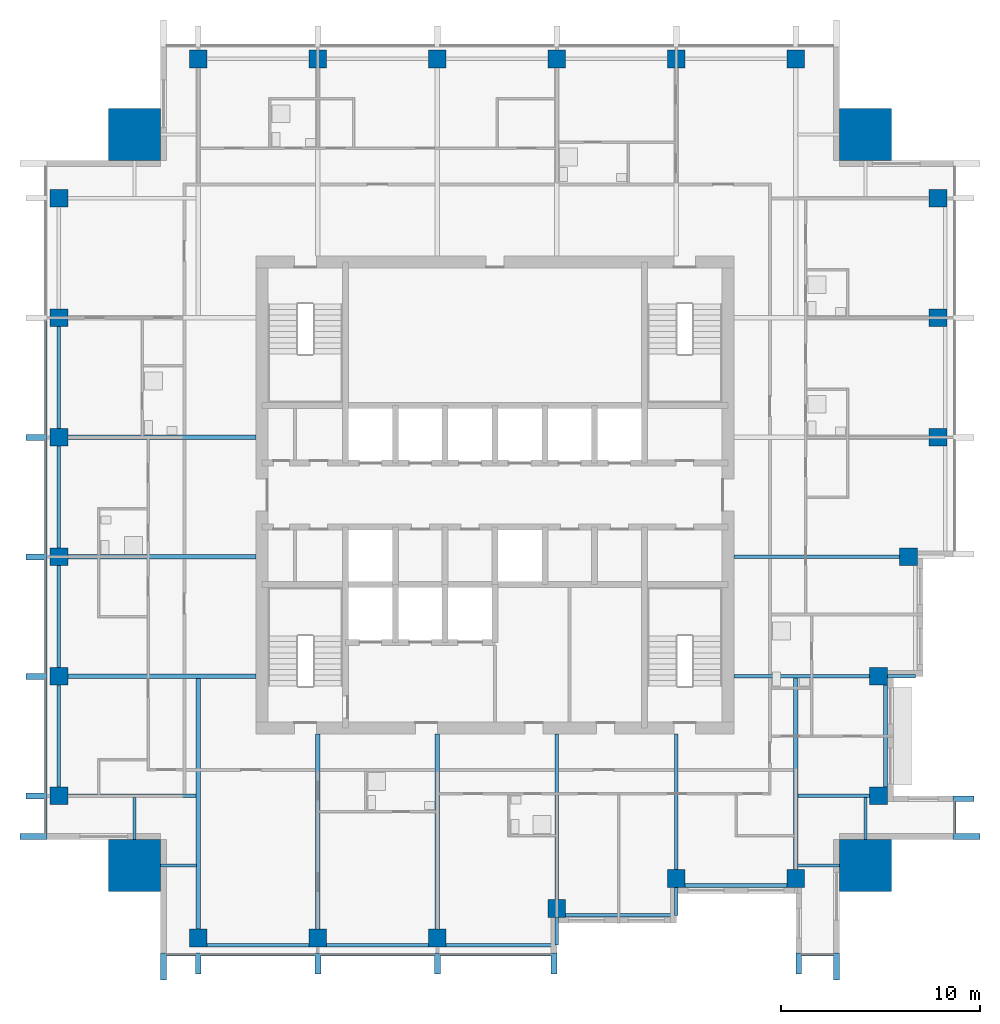
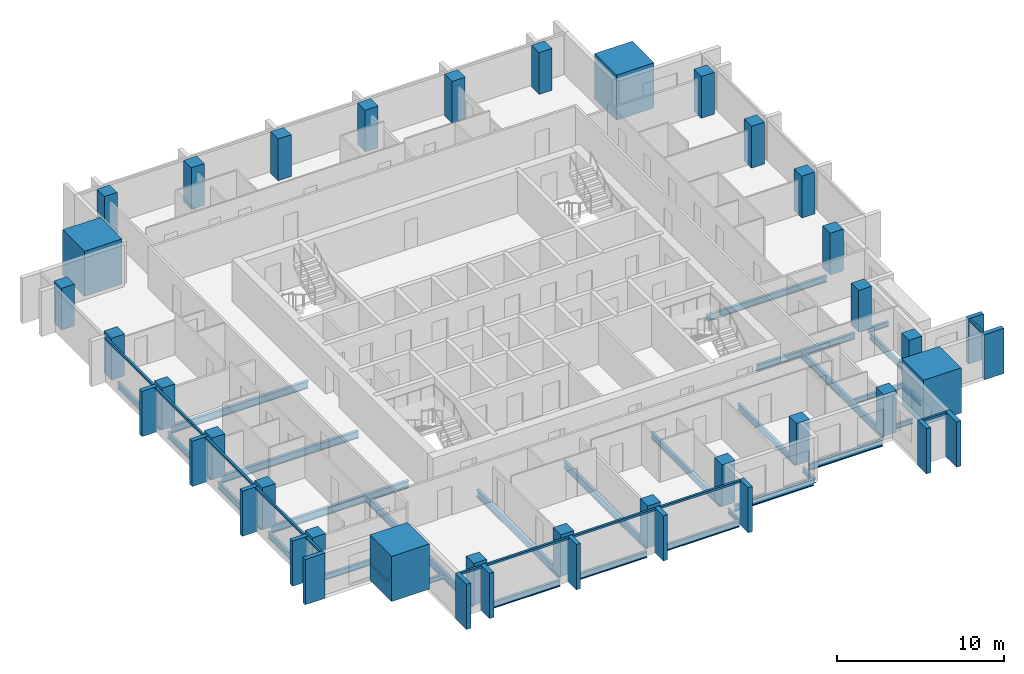
# One storey, part 1 of 10: 30 beams, 28 columns, 25 members, 4 elements without a shape of their own.
"""IFC4 building model written with IfcOpenShell, lengths in metres."""

from ifc_helpers import new_model, si_unit, direction, frame, origin, origin_2d, place, context, subcontext, project, spatial, rectangle, i_section, extrude, material, material_profile, profile_set, type_object, element, aggregate, save


model = new_model("IFC4")

# Units and contexts
model_context = context("Model", 3, precision=1e-05, world=origin(), true_north=direction((0.0, 1.0)))
body_context = subcontext(model_context, "Body", "Model", "MODEL_VIEW")
ifc_project = project(units=[si_unit("LENGTHUNIT", "METRE"), si_unit("AREAUNIT", "SQUARE_METRE"), si_unit("VOLUMEUNIT", "CUBIC_METRE"), si_unit("PLANEANGLEUNIT", "RADIAN"), si_unit("MASSUNIT", "GRAM", prefix="KILO")], contexts=[model_context])

# Site, building, storey
site_placement = place(None, origin())
site = spatial("IfcSite", under=ifc_project, at=site_placement, CompositionType="ELEMENT")
building_placement = place(site_placement, origin())
building = spatial("IfcBuilding", under=site, at=building_placement, Name="Amberfall Residences", CompositionType="ELEMENT")
storey_placement = place(building_placement, frame((0.0, 0.0, 190.300048828125)))
storey = spatial("IfcBuildingStorey", under=building, at=storey_placement, Name="L50", CompositionType="ELEMENT", Elevation=190.300048828125)

# Columns
ifc_material_1 = material(Name="Concrete C55", Category="concrete")
ifc_material_profile_1 = material_profile(ifc_material_1, rectangle(XDim=0.89990234375, YDim=0.89990234375, at=origin_2d()), Name="Column 900 x 900 C55")
ifc_profile_set_1 = profile_set([ifc_material_profile_1], Name="Concrete C55")
column_type_1 = type_object("IfcColumnType", Name="Column 900 x 900 C55", PredefinedType="COLUMN", material=ifc_profile_set_1)
for number, where, z_axis, x_axis, name in (
    (1, (59.60009765625, 23.25, 0.0), (0.0, 0.0, 1.0), (1.0, 0.0, 0.0), "Column C4 L50 S1"),
    (2, (65.60009765625, 23.25, 0.0), (0.0, 0.0, 1.0), (1.0, 0.0, 0.0), "Column C4 L50 S2"),
    (3, (71.60009765625, 23.25, 0.0), (0.0, 0.0, 1.0), (1.0, 0.0, 0.0), "Column C4 L50 S3"),
    (4, (77.60009765625, 24.75, 0.0), (0.0, 0.0, 1.0), (1.0, 0.0, 0.0), "Column C4 L50 S4"),
    (5, (83.60009765625, 26.25, 0.0), (0.0, 0.0, 1.0), (1.0, 0.0, 0.0), "Column C4 L50 S5"),
    (6, (89.60009765625, 26.25, 0.0), (0.0, 0.0, 1.0), (1.0, 0.0, 0.0), "Column C4 L50 S6"),
    (7, (93.75, 30.39990234375, 0.0), (0.0, 0.0, 1.0), (1.0, 0.0, 0.0), "Column C4 L50 E1"),
    (8, (93.75, 36.39990234375, 0.0), (0.0, 0.0, 1.0), (1.0, 0.0, 0.0), "Column C4 L50 E2"),
    (9, (95.25, 42.39990234375, 0.0), (0.0, 0.0, 1.0), (1.0, 0.0, 0.0), "Column C4 L50 E3"),
    (10, (96.75, 48.39990234375, 0.0), (0.0, 0.0, 1.0), (1.0, 0.0, 0.0), "Column C4 L50 E4"),
    (11, (96.75, 54.39990234375, 0.0), (0.0, 0.0, 1.0), (1.0, 0.0, 0.0), "Column C4 L50 E5"),
    (12, (96.75, 60.39990234375, 0.0), (0.0, 0.0, 1.0), (1.0, 0.0, 0.0), "Column C4 L50 E6"),
    (13, (59.60009765625, 67.39990234375, 0.0), (0.0, 0.0, 1.0), (1.0, 0.0, 0.0), "Column C4 L50 N1"),
    (14, (65.60009765625, 67.39990234375, 0.0), (0.0, 0.0, 1.0), (1.0, 0.0, 0.0), "Column C4 L50 N2"),
    (15, (71.60009765625, 67.39990234375, 0.0), (0.0, 0.0, 1.0), (1.0, 0.0, 0.0), "Column C4 L50 N3"),
    (16, (77.60009765625, 67.39990234375, 0.0), (0.0, 0.0, 1.0), (1.0, 0.0, 0.0), "Column C4 L50 N4"),
    (17, (83.60009765625, 67.39990234375, 0.0), (0.0, 0.0, 1.0), (1.0, 0.0, 0.0), "Column C4 L50 N5"),
    (18, (89.60009765625, 67.39990234375, 0.0), (0.0, 0.0, 1.0), (1.0, 0.0, 0.0), "Column C4 L50 N6"),
    (19, (52.60009765625, 30.39990234375, 0.0), (0.0, 0.0, 1.0), (1.0, 0.0, 0.0), "Column C4 L50 W1"),
    (20, (52.60009765625, 36.39990234375, 0.0), (0.0, 0.0, 1.0), (1.0, 0.0, 0.0), "Column C4 L50 W2"),
    (21, (52.60009765625, 42.39990234375, 0.0), (0.0, 0.0, 1.0), (1.0, 0.0, 0.0), "Column C4 L50 W3"),
    (22, (52.60009765625, 48.39990234375, 0.0), (0.0, 0.0, 1.0), (1.0, 0.0, 0.0), "Column C4 L50 W4"),
    (23, (52.60009765625, 54.39990234375, 0.0), (0.0, 0.0, 1.0), (1.0, 0.0, 0.0), "Column C4 L50 W5"),
    (24, (52.60009765625, 60.39990234375, 0.0), (0.0, 0.0, 1.0), (1.0, 0.0, 0.0), "Column C4 L50 W6"),
):
    element("IfcColumn", number, at=place(storey_placement, frame(where, z_axis=z_axis, x_axis=x_axis)), inside=storey, type_object=column_type_1, Name=name, PredefinedType="COLUMN", context=body_context, shape_type="SweptSolid", body=[
        extrude(rectangle(XDim=0.89990234375, YDim=0.89990234375, at=origin_2d()), origin(), (0.0, 0.0, 1.0), 3.050048828125),
    ])
ifc_material_profile_2 = material_profile(ifc_material_1, rectangle(XDim=2.60009765625, YDim=2.60009765625, at=origin_2d()), Name="Mega column 2600 x 2600 C55")
ifc_profile_set_2 = profile_set([ifc_material_profile_2], Name="Concrete C55")
column_type_2 = type_object("IfcColumnType", Name="Mega column 2600 x 2600 C55", PredefinedType="COLUMN", material=ifc_profile_set_2)
for number, where, z_axis, x_axis, name in (
    (25, (56.39990234375, 26.89990234375, 0.0), (0.0, 0.0, 1.0), (1.0, 0.0, 0.0), "Mega column MC8 L50 SW"),
    (26, (93.10009765625, 26.89990234375, 0.0), (0.0, 0.0, 1.0), (1.0, 0.0, 0.0), "Mega column MC8 L50 SE"),
    (27, (93.10009765625, 63.60009765625, 0.0), (0.0, 0.0, 1.0), (1.0, 0.0, 0.0), "Mega column MC8 L50 NE"),
    (28, (56.39990234375, 63.60009765625, 0.0), (0.0, 0.0, 1.0), (1.0, 0.0, 0.0), "Mega column MC8 L50 NW"),
):
    element("IfcColumn", number, at=place(storey_placement, frame(where, z_axis=z_axis, x_axis=x_axis)), inside=storey, type_object=column_type_2, Name=name, PredefinedType="COLUMN", context=body_context, shape_type="SweptSolid", body=[
        extrude(rectangle(XDim=2.60009765625, YDim=2.60009765625, at=origin_2d()), origin(), (0.0, 0.0, 1.0), 3.300048828125),
    ])

# Curtain wall, members
ifc_material_2 = material(Name="Bronze anodised aluminium and glass", Category="aluminium")
curtain_wall_type = type_object("IfcCurtainWallType", Name="Curtain wall CW1 tower unit", PredefinedType="USERDEFINED", material=ifc_material_2)
curtain_wall_1_placement = place(storey_placement, origin())
curtain_wall_1 = element("IfcCurtainWall", 29, at=curtain_wall_1_placement, inside=storey, type_object=curtain_wall_type, Name="Curtain wall L50 S S1", ObjectType="UNITISED CURTAIN WALL", PredefinedType="USERDEFINED")
ifc_material_3 = material(Name="Bronze anodised aluminium", Category="aluminium")
ifc_material_profile_3 = material_profile(ifc_material_3, rectangle(XDim=0.14990234375, YDim=0.14990234375, at=origin_2d()), Name="CW1 transom 150 x 150 bronze")
ifc_profile_set_3 = profile_set([ifc_material_profile_3], Name="Bronze anodised aluminium")
member_type_1 = type_object("IfcMemberType", Name="CW1 transom 150 x 150 bronze", PredefinedType="USERDEFINED", material=ifc_profile_set_3)
member_1_placement = place(storey_placement, frame((58.0, 22.425048828125, 2.974853515625), z_axis=(1.0, 0.0, 0.0), x_axis=(0.0, 1.0, 0.0)))
member_1 = element("IfcMember", 30, at=member_1_placement, type_object=member_type_1, Name="CW1 transom 1.1", ObjectType="TRANSOM", PredefinedType="USERDEFINED", context=body_context, shape_type="SweptSolid", body=[
    extrude(rectangle(XDim=0.14990234375, YDim=0.14990234375, at=origin_2d()), origin(), (0.0, 0.0, 1.0), 1.449951171875),
])
member_2_placement = place(storey_placement, frame((59.75, 22.425048828125, 2.974853515625), z_axis=(1.0, 0.0, 0.0), x_axis=(0.0, 1.0, 0.0)))
member_2 = element("IfcMember", 31, at=member_2_placement, type_object=member_type_1, Name="CW1 transom 2.1", ObjectType="TRANSOM", PredefinedType="USERDEFINED", context=body_context, shape_type="SweptSolid", body=[
    extrude(rectangle(XDim=0.14990234375, YDim=0.14990234375, at=origin_2d()), origin(), (0.0, 0.0, 1.0), 5.699951171875),
])
member_3_placement = place(storey_placement, frame((65.75, 22.425048828125, 2.974853515625), z_axis=(1.0, 0.0, 0.0), x_axis=(0.0, 1.0, 0.0)))
member_3 = element("IfcMember", 32, at=member_3_placement, type_object=member_type_1, Name="CW1 transom 3.1", ObjectType="TRANSOM", PredefinedType="USERDEFINED", context=body_context, shape_type="SweptSolid", body=[
    extrude(rectangle(XDim=0.14990234375, YDim=0.14990234375, at=origin_2d()), origin(), (0.0, 0.0, 1.0), 5.699951171875),
])
member_4_placement = place(storey_placement, frame((71.75, 22.425048828125, 2.974853515625), z_axis=(1.0, 0.0, 0.0), x_axis=(0.0, 1.0, 0.0)))
member_4 = element("IfcMember", 33, at=member_4_placement, type_object=member_type_1, Name="CW1 transom 4.1", ObjectType="TRANSOM", PredefinedType="USERDEFINED", context=body_context, shape_type="SweptSolid", body=[
    extrude(rectangle(XDim=0.14990234375, YDim=0.14990234375, at=origin_2d()), origin(), (0.0, 0.0, 1.0), 5.550048828125),
])

# Curtain wall, member
curtain_wall_2_placement = place(storey_placement, origin())
curtain_wall_2 = element("IfcCurtainWall", 34, at=curtain_wall_2_placement, inside=storey, type_object=curtain_wall_type, Name="Curtain wall L50 S S7", ObjectType="UNITISED CURTAIN WALL", PredefinedType="USERDEFINED")
member_5_placement = place(storey_placement, frame((89.89990234375, 22.425048828125, 2.974853515625), z_axis=(1.0, 0.0, 0.0), x_axis=(0.0, 1.0, 0.0)))
member_5 = element("IfcMember", 35, at=member_5_placement, type_object=member_type_1, Name="CW1 transom 1.1", ObjectType="TRANSOM", PredefinedType="USERDEFINED", context=body_context, shape_type="SweptSolid", body=[
    extrude(rectangle(XDim=0.14990234375, YDim=0.14990234375, at=origin_2d()), origin(), (0.0, 0.0, 1.0), 1.60009765625),
])

curtain_wall_3_placement = place(storey_placement, origin())
curtain_wall_3 = element("IfcCurtainWall", 36, at=curtain_wall_3_placement, inside=storey, type_object=curtain_wall_type, Name="Curtain wall L50 E E1", ObjectType="UNITISED CURTAIN WALL", PredefinedType="USERDEFINED")
member_6_placement = place(storey_placement, frame((97.574951171875, 28.5, 2.974853515625), z_axis=(0.0, 1.0, 0.0), x_axis=(-1.0, 0.0, 0.0)))
member_6 = element("IfcMember", 37, at=member_6_placement, type_object=member_type_1, Name="CW1 transom 1.1", ObjectType="TRANSOM", PredefinedType="USERDEFINED", context=body_context, shape_type="SweptSolid", body=[
    extrude(rectangle(XDim=0.14990234375, YDim=0.14990234375, at=origin_2d()), origin(), (0.0, 0.0, 1.0), 1.60009765625),
])

# Curtain wall, members
curtain_wall_4_placement = place(storey_placement, origin())
curtain_wall_4 = element("IfcCurtainWall", 38, at=curtain_wall_4_placement, inside=storey, type_object=curtain_wall_type, Name="Curtain wall L50 W W1", ObjectType="UNITISED CURTAIN WALL", PredefinedType="USERDEFINED")
member_7_placement = place(storey_placement, frame((51.925048828125, 54.25, 2.974853515625), z_axis=(0.0, -1.0, 0.0), x_axis=(1.0, 0.0, 0.0)))
member_7 = element("IfcMember", 39, at=member_7_placement, type_object=member_type_1, Name="CW1 transom 3.1", ObjectType="TRANSOM", PredefinedType="USERDEFINED", context=body_context, shape_type="SweptSolid", body=[
    extrude(rectangle(XDim=0.14990234375, YDim=0.14990234375, at=origin_2d()), origin(), (0.0, 0.0, 1.0), 5.699951171875),
])
member_8_placement = place(storey_placement, frame((51.925048828125, 48.25, 2.974853515625), z_axis=(0.0, -1.0, 0.0), x_axis=(1.0, 0.0, 0.0)))
member_8 = element("IfcMember", 40, at=member_8_placement, type_object=member_type_1, Name="CW1 transom 4.1", ObjectType="TRANSOM", PredefinedType="USERDEFINED", context=body_context, shape_type="SweptSolid", body=[
    extrude(rectangle(XDim=0.14990234375, YDim=0.14990234375, at=origin_2d()), origin(), (0.0, 0.0, 1.0), 5.699951171875),
])
member_9_placement = place(storey_placement, frame((51.925048828125, 42.25, 2.974853515625), z_axis=(0.0, -1.0, 0.0), x_axis=(1.0, 0.0, 0.0)))
member_9 = element("IfcMember", 41, at=member_9_placement, type_object=member_type_1, Name="CW1 transom 5.1", ObjectType="TRANSOM", PredefinedType="USERDEFINED", context=body_context, shape_type="SweptSolid", body=[
    extrude(rectangle(XDim=0.14990234375, YDim=0.14990234375, at=origin_2d()), origin(), (0.0, 0.0, 1.0), 5.699951171875),
])
member_10_placement = place(storey_placement, frame((51.925048828125, 36.25, 2.974853515625), z_axis=(0.0, -1.0, 0.0), x_axis=(1.0, 0.0, 0.0)))
member_10 = element("IfcMember", 42, at=member_10_placement, type_object=member_type_1, Name="CW1 transom 6.1", ObjectType="TRANSOM", PredefinedType="USERDEFINED", context=body_context, shape_type="SweptSolid", body=[
    extrude(rectangle(XDim=0.14990234375, YDim=0.14990234375, at=origin_2d()), origin(), (0.0, 0.0, 1.0), 5.699951171875),
])
member_11_placement = place(storey_placement, frame((51.925048828125, 30.25, 2.974853515625), z_axis=(0.0, -1.0, 0.0), x_axis=(1.0, 0.0, 0.0)))
member_11 = element("IfcMember", 43, at=member_11_placement, type_object=member_type_1, Name="CW1 transom 7.1", ObjectType="TRANSOM", PredefinedType="USERDEFINED", context=body_context, shape_type="SweptSolid", body=[
    extrude(rectangle(XDim=0.14990234375, YDim=0.14990234375, at=origin_2d()), origin(), (0.0, 0.0, 1.0), 1.75),
])

# Beams
ifc_material_4 = material(Name="Steel S355", Category="steel")
ifc_material_profile_4 = material_profile(ifc_material_4, i_section(OverallWidth=0.171142578125, OverallDepth=0.351318359375, WebThickness=0.007080078125, FlangeThickness=0.009765625, FilletRadius=0.01025390625, at=origin_2d()), Name="UB 356x171x45")
ifc_profile_set_4 = profile_set([ifc_material_profile_4], Name="Steel S355")
beam_type_1 = type_object("IfcBeamType", Name="Cantilever girder UB 356x171x45", PredefinedType="BEAM", material=ifc_profile_set_4)
for number, where, z_axis, x_axis, name in (
    (44, (77.60009765625, 24.300048828125, -0.42578125), (0.0, -1.0, 0.0), (1.0, 0.0, 0.0), "Cantilever girder B8 L50 06"),
    (45, (83.60009765625, 25.800048828125, -0.42578125), (0.0, -1.0, 0.0), (1.0, 0.0, 0.0), "Cantilever girder B8 L50 07"),
    (46, (94.199951171875, 36.39990234375, -0.42578125), (1.0, 0.0, 0.0), (0.0, 1.0, 0.0), "Cantilever girder B8 L50 19"),
):
    element("IfcBeam", number, at=place(storey_placement, frame(where, z_axis=z_axis, x_axis=x_axis)), inside=storey, type_object=beam_type_1, Name=name, PredefinedType="BEAM", context=body_context, shape_type="SweptSolid", body=[
        extrude(i_section(OverallWidth=0.171142578125, OverallDepth=0.351318359375, WebThickness=0.007080078125, FlangeThickness=0.009765625, FilletRadius=0.01025390625, at=origin_2d()), origin(), (0.0, 0.0, 1.0), 1.400146484375),
    ])

# Member
ifc_material_profile_5 = material_profile(ifc_material_3, rectangle(XDim=1.35009765625, YDim=0.300048828125, at=origin_2d()), Name="Corner fin 300 x 1350 bronze")
ifc_profile_set_5 = profile_set([ifc_material_profile_5], Name="Bronze anodised aluminium")
member_type_2 = type_object("IfcMemberType", Name="Corner fin 300 x 1350 bronze", PredefinedType="MULLION", material=ifc_profile_set_5)
member_12_placement = place(storey_placement, frame((57.85009765625, 21.824951171875, -0.25), z_axis=(0.0, 0.0, 1.0), x_axis=(0.0, 1.0, 0.0)))
member_12 = element("IfcMember", 47, at=member_12_placement, type_object=member_type_2, Name="CW FIN 1", PredefinedType="MULLION", context=body_context, shape_type="SweptSolid", body=[
    extrude(rectangle(XDim=1.35009765625, YDim=0.300048828125, at=origin_2d()), origin(), (0.0, 0.0, 1.0), 3.300048828125),
])

member_13_placement = place(storey_placement, frame((91.64990234375, 21.824951171875, -0.25), z_axis=(0.0, 0.0, 1.0), x_axis=(0.0, 1.0, 0.0)))
member_13 = element("IfcMember", 48, at=member_13_placement, type_object=member_type_2, Name="CW FIN 2", PredefinedType="MULLION", context=body_context, shape_type="SweptSolid", body=[
    extrude(rectangle(XDim=1.35009765625, YDim=0.300048828125, at=origin_2d()), origin(), (0.0, 0.0, 1.0), 3.300048828125),
])

member_14_placement = place(storey_placement, frame((98.175048828125, 28.35009765625, -0.25), z_axis=(0.0, 0.0, 1.0), x_axis=(-1.0, 0.0, 0.0)))
member_14 = element("IfcMember", 49, at=member_14_placement, type_object=member_type_2, Name="CW FIN 1", PredefinedType="MULLION", context=body_context, shape_type="SweptSolid", body=[
    extrude(rectangle(XDim=1.35009765625, YDim=0.300048828125, at=origin_2d()), origin(), (0.0, 0.0, 1.0), 3.300048828125),
])

member_15_placement = place(storey_placement, frame((51.324951171875, 28.35009765625, -0.25), z_axis=(0.0, 0.0, 1.0), x_axis=(1.0, 0.0, 0.0)))
member_15 = element("IfcMember", 50, at=member_15_placement, type_object=member_type_2, Name="CW FIN 8", PredefinedType="MULLION", context=body_context, shape_type="SweptSolid", body=[
    extrude(rectangle(XDim=1.35009765625, YDim=0.300048828125, at=origin_2d()), origin(), (0.0, 0.0, 1.0), 3.300048828125),
])

# Beams
ifc_material_profile_6 = material_profile(ifc_material_4, i_section(OverallWidth=0.18994140625, OverallDepth=0.453369140625, WebThickness=0.008544921875, FlangeThickness=0.0126953125, FilletRadius=0.01025390625, at=origin_2d()), Name="UB 457x191x67")
ifc_profile_set_6 = profile_set([ifc_material_profile_6], Name="Steel S355")
beam_type_2 = type_object("IfcBeamType", Name="Edge beam UB 457x191x67", PredefinedType="SPANDREL", material=ifc_profile_set_6)
for number, where, z_axis, x_axis, name in (
    (51, (60.050048828125, 22.89990234375, -0.476806640625), (1.0, 0.0, 0.0), (0.0, 1.0, 0.0), "Edge beam B1 L50 01"),
    (52, (66.050048828125, 22.89990234375, -0.476806640625), (1.0, 0.0, 0.0), (0.0, 1.0, 0.0), "Edge beam B1 L50 02"),
):
    element("IfcBeam", number, at=place(storey_placement, frame(where, z_axis=z_axis, x_axis=x_axis)), inside=storey, type_object=beam_type_2, Name=name, PredefinedType="SPANDREL", context=body_context, shape_type="SweptSolid", body=[
        extrude(i_section(OverallWidth=0.18994140625, OverallDepth=0.453369140625, WebThickness=0.008544921875, FlangeThickness=0.0126953125, FilletRadius=0.01025390625, at=origin_2d()), origin(), (0.0, 0.0, 1.0), 5.099853515625),
    ])
for number, where, z_axis, x_axis, name in (
    (53, (72.050048828125, 22.89990234375, -0.476806640625), (1.0, 0.0, 0.0), (0.0, 1.0, 0.0), "Edge beam B1 L50 03"),
    (54, (78.050048828125, 24.39990234375, -0.476806640625), (1.0, 0.0, 0.0), (0.0, 1.0, 0.0), "Edge beam B1 L50 04"),
):
    element("IfcBeam", number, at=place(storey_placement, frame(where, z_axis=z_axis, x_axis=x_axis)), inside=storey, type_object=beam_type_2, Name=name, PredefinedType="SPANDREL", context=body_context, shape_type="SweptSolid", body=[
        extrude(i_section(OverallWidth=0.18994140625, OverallDepth=0.453369140625, WebThickness=0.008544921875, FlangeThickness=0.0126953125, FilletRadius=0.01025390625, at=origin_2d()), origin(), (0.0, 0.0, 1.0), 5.469970703125),
    ])
for number, where, z_axis, x_axis, name in (
    (55, (84.050048828125, 25.89990234375, -0.476806640625), (1.0, 0.0, 0.0), (0.0, 1.0, 0.0), "Edge beam B1 L50 05"),
    (56, (94.10009765625, 30.85009765625, -0.476806640625), (0.0, 1.0, 0.0), (-1.0, 0.0, 0.0), "Edge beam B1 L50 14"),
    (57, (52.60009765625, 30.85009765625, -0.476806640625), (0.0, 1.0, 0.0), (-1.0, 0.0, 0.0), "Edge beam B1 L50 38"),
    (58, (52.60009765625, 36.85009765625, -0.476806640625), (0.0, 1.0, 0.0), (-1.0, 0.0, 0.0), "Edge beam B1 L50 39"),
    (59, (52.60009765625, 42.85009765625, -0.476806640625), (0.0, 1.0, 0.0), (-1.0, 0.0, 0.0), "Edge beam B1 L50 40"),
    (60, (52.60009765625, 48.85009765625, -0.476806640625), (0.0, 1.0, 0.0), (-1.0, 0.0, 0.0), "Edge beam B1 L50 41"),
):
    element("IfcBeam", number, at=place(storey_placement, frame(where, z_axis=z_axis, x_axis=x_axis)), inside=storey, type_object=beam_type_2, Name=name, PredefinedType="SPANDREL", context=body_context, shape_type="SweptSolid", body=[
        extrude(i_section(OverallWidth=0.18994140625, OverallDepth=0.453369140625, WebThickness=0.008544921875, FlangeThickness=0.0126953125, FilletRadius=0.01025390625, at=origin_2d()), origin(), (0.0, 0.0, 1.0), 5.099853515625),
    ])

# Member
ifc_material_profile_7 = material_profile(ifc_material_3, rectangle(XDim=1.050048828125, YDim=0.300048828125, at=origin_2d()), Name="Fin 300 x 1050 bronze")
ifc_profile_set_7 = profile_set([ifc_material_profile_7], Name="Bronze anodised aluminium")
member_type_3 = type_object("IfcMemberType", Name="Fin 300 x 1050 bronze", PredefinedType="MULLION", material=ifc_profile_set_7)
member_16_placement = place(storey_placement, frame((59.60009765625, 21.97509765625, -0.25), z_axis=(0.0, 0.0, 1.0), x_axis=(0.0, 1.0, 0.0)))
member_16 = element("IfcMember", 61, at=member_16_placement, type_object=member_type_3, Name="CW FIN 2", PredefinedType="MULLION", context=body_context, shape_type="SweptSolid", body=[
    extrude(rectangle(XDim=1.050048828125, YDim=0.300048828125, at=origin_2d()), origin(), (0.0, 0.0, 1.0), 3.300048828125),
])

member_17_placement = place(storey_placement, frame((65.60009765625, 21.97509765625, -0.25), z_axis=(0.0, 0.0, 1.0), x_axis=(0.0, 1.0, 0.0)))
member_17 = element("IfcMember", 62, at=member_17_placement, type_object=member_type_3, Name="CW FIN 3", PredefinedType="MULLION", context=body_context, shape_type="SweptSolid", body=[
    extrude(rectangle(XDim=1.050048828125, YDim=0.300048828125, at=origin_2d()), origin(), (0.0, 0.0, 1.0), 3.300048828125),
])

member_18_placement = place(storey_placement, frame((71.60009765625, 21.97509765625, -0.25), z_axis=(0.0, 0.0, 1.0), x_axis=(0.0, 1.0, 0.0)))
member_18 = element("IfcMember", 63, at=member_18_placement, type_object=member_type_3, Name="CW FIN 4", PredefinedType="MULLION", context=body_context, shape_type="SweptSolid", body=[
    extrude(rectangle(XDim=1.050048828125, YDim=0.300048828125, at=origin_2d()), origin(), (0.0, 0.0, 1.0), 3.300048828125),
])

member_19_placement = place(storey_placement, frame((77.449951171875, 21.97509765625, -0.25), z_axis=(0.0, 0.0, 1.0), x_axis=(0.0, 1.0, 0.0)))
member_19 = element("IfcMember", 64, at=member_19_placement, type_object=member_type_3, Name="CW FIN 5", PredefinedType="MULLION", context=body_context, shape_type="SweptSolid", body=[
    extrude(rectangle(XDim=1.050048828125, YDim=0.300048828125, at=origin_2d()), origin(), (0.0, 0.0, 1.0), 3.300048828125),
])

aggregate(curtain_wall_1, [member_12, member_16, member_17, member_18, member_19, member_1, member_2, member_3, member_4])

member_20_placement = place(storey_placement, frame((89.75, 21.97509765625, -0.25), z_axis=(0.0, 0.0, 1.0), x_axis=(0.0, 1.0, 0.0)))
member_20 = element("IfcMember", 65, at=member_20_placement, type_object=member_type_3, Name="CW FIN 1", PredefinedType="MULLION", context=body_context, shape_type="SweptSolid", body=[
    extrude(rectangle(XDim=1.050048828125, YDim=0.300048828125, at=origin_2d()), origin(), (0.0, 0.0, 1.0), 3.300048828125),
])

aggregate(curtain_wall_2, [member_20, member_13, member_5])

member_21_placement = place(storey_placement, frame((98.02490234375, 30.25, -0.25), z_axis=(0.0, 0.0, 1.0), x_axis=(-1.0, 0.0, 0.0)))
member_21 = element("IfcMember", 66, at=member_21_placement, type_object=member_type_3, Name="CW FIN 2", PredefinedType="MULLION", context=body_context, shape_type="SweptSolid", body=[
    extrude(rectangle(XDim=1.050048828125, YDim=0.300048828125, at=origin_2d()), origin(), (0.0, 0.0, 1.0), 3.300048828125),
])

aggregate(curtain_wall_3, [member_14, member_21, member_6])

member_22_placement = place(storey_placement, frame((51.47509765625, 48.39990234375, -0.25), z_axis=(0.0, 0.0, 1.0), x_axis=(1.0, 0.0, 0.0)))
member_22 = element("IfcMember", 67, at=member_22_placement, type_object=member_type_3, Name="CW FIN 4", PredefinedType="MULLION", context=body_context, shape_type="SweptSolid", body=[
    extrude(rectangle(XDim=1.050048828125, YDim=0.300048828125, at=origin_2d()), origin(), (0.0, 0.0, 1.0), 3.300048828125),
])

member_23_placement = place(storey_placement, frame((51.47509765625, 42.39990234375, -0.25), z_axis=(0.0, 0.0, 1.0), x_axis=(1.0, 0.0, 0.0)))
member_23 = element("IfcMember", 68, at=member_23_placement, type_object=member_type_3, Name="CW FIN 5", PredefinedType="MULLION", context=body_context, shape_type="SweptSolid", body=[
    extrude(rectangle(XDim=1.050048828125, YDim=0.300048828125, at=origin_2d()), origin(), (0.0, 0.0, 1.0), 3.300048828125),
])

member_24_placement = place(storey_placement, frame((51.47509765625, 36.39990234375, -0.25), z_axis=(0.0, 0.0, 1.0), x_axis=(1.0, 0.0, 0.0)))
member_24 = element("IfcMember", 69, at=member_24_placement, type_object=member_type_3, Name="CW FIN 6", PredefinedType="MULLION", context=body_context, shape_type="SweptSolid", body=[
    extrude(rectangle(XDim=1.050048828125, YDim=0.300048828125, at=origin_2d()), origin(), (0.0, 0.0, 1.0), 3.300048828125),
])

member_25_placement = place(storey_placement, frame((51.47509765625, 30.39990234375, -0.25), z_axis=(0.0, 0.0, 1.0), x_axis=(1.0, 0.0, 0.0)))
member_25 = element("IfcMember", 70, at=member_25_placement, type_object=member_type_3, Name="CW FIN 7", PredefinedType="MULLION", context=body_context, shape_type="SweptSolid", body=[
    extrude(rectangle(XDim=1.050048828125, YDim=0.300048828125, at=origin_2d()), origin(), (0.0, 0.0, 1.0), 3.300048828125),
])

aggregate(curtain_wall_4, [member_22, member_23, member_24, member_25, member_15, member_7, member_8, member_9, member_10, member_11])

# Beams
ifc_material_profile_8 = material_profile(ifc_material_4, i_section(OverallWidth=0.171142578125, OverallDepth=0.351318359375, WebThickness=0.007080078125, FlangeThickness=0.009765625, FilletRadius=0.01025390625, at=origin_2d()), Name="UB 356x171x45")
ifc_profile_set_8 = profile_set([ifc_material_profile_8], Name="Steel S355")
beam_type_3 = type_object("IfcBeamType", Name="Floor girder UB 356x171x45", PredefinedType="BEAM", material=ifc_profile_set_8)
beam_1_placement = place(storey_placement, frame((93.300048828125, 30.39990234375, -0.42578125), z_axis=(-1.0, 0.0, 0.0), x_axis=(0.0, -1.0, 0.0)))
element("IfcBeam", 71, at=beam_1_placement, inside=storey, type_object=beam_type_3, Name="Floor girder B11 L50 21", PredefinedType="BEAM", context=body_context, shape_type="SweptSolid", body=[
    extrude(i_section(OverallWidth=0.171142578125, OverallDepth=0.351318359375, WebThickness=0.007080078125, FlangeThickness=0.009765625, FilletRadius=0.01025390625, at=origin_2d()), origin(), (0.0, 0.0, 1.0), 3.580078125),
])
ifc_material_profile_9 = material_profile(ifc_material_4, i_section(OverallWidth=0.177734375, OverallDepth=0.402587890625, WebThickness=0.0078125, FlangeThickness=0.010986328125, FilletRadius=0.01025390625, at=origin_2d()), Name="UB 406x178x54")
ifc_profile_set_9 = profile_set([ifc_material_profile_9], Name="Steel S355")
beam_type_4 = type_object("IfcBeamType", Name="Floor girder UB 406x178x54", PredefinedType="BEAM", material=ifc_profile_set_9)
beam_2_placement = place(storey_placement, frame((53.050048828125, 30.39990234375, -0.451416015625), z_axis=(1.0, 0.0, 0.0), x_axis=(0.0, 1.0, 0.0)))
element("IfcBeam", 72, at=beam_2_placement, inside=storey, type_object=beam_type_4, Name="Floor girder B4 L50 43", PredefinedType="BEAM", context=body_context, shape_type="SweptSolid", body=[
    extrude(i_section(OverallWidth=0.177734375, OverallDepth=0.402587890625, WebThickness=0.0078125, FlangeThickness=0.010986328125, FilletRadius=0.01025390625, at=origin_2d()), origin(), (0.0, 0.0, 1.0), 6.429931640625),
])
ifc_material_profile_10 = material_profile(ifc_material_4, i_section(OverallWidth=0.19140625, OverallDepth=0.4599609375, WebThickness=0.010009765625, FlangeThickness=0.01611328125, FilletRadius=0.01025390625, at=origin_2d()), Name="UB 457x191x82")
ifc_profile_set_10 = profile_set([ifc_material_profile_10], Name="Steel S355")
beam_type_5 = type_object("IfcBeamType", Name="Floor girder UB 457x191x82", PredefinedType="BEAM", material=ifc_profile_set_10)
beam_3_placement = place(storey_placement, frame((77.60009765625, 25.199951171875, -0.47998046875), z_axis=(0.0, 1.0, 0.0), x_axis=(-1.0, 0.0, 0.0)))
element("IfcBeam", 73, at=beam_3_placement, inside=storey, type_object=beam_type_5, Name="Floor girder B10 L50 11", PredefinedType="BEAM", context=body_context, shape_type="SweptSolid", body=[
    extrude(i_section(OverallWidth=0.19140625, OverallDepth=0.4599609375, WebThickness=0.010009765625, FlangeThickness=0.01611328125, FilletRadius=0.01025390625, at=origin_2d()), origin(), (0.0, 0.0, 1.0), 8.300048828125),
])
for number, where, z_axis, x_axis, name in (
    (74, (83.60009765625, 26.699951171875, -0.47998046875), (0.0, 1.0, 0.0), (-1.0, 0.0, 0.0), "Floor girder B10 L50 12"),
    (75, (93.300048828125, 36.39990234375, -0.47998046875), (-1.0, 0.0, 0.0), (0.0, -1.0, 0.0), "Floor girder B10 L50 22"),
):
    element("IfcBeam", number, at=place(storey_placement, frame(where, z_axis=z_axis, x_axis=x_axis)), inside=storey, type_object=beam_type_5, Name=name, PredefinedType="BEAM", context=body_context, shape_type="SweptSolid", body=[
        extrude(i_section(OverallWidth=0.19140625, OverallDepth=0.4599609375, WebThickness=0.010009765625, FlangeThickness=0.01611328125, FilletRadius=0.01025390625, at=origin_2d()), origin(), (0.0, 0.0, 1.0), 6.800048828125),
    ])
beam_4_placement = place(storey_placement, frame((94.800048828125, 42.39990234375, -0.47998046875), z_axis=(-1.0, 0.0, 0.0), x_axis=(0.0, -1.0, 0.0)))
element("IfcBeam", 76, at=beam_4_placement, inside=storey, type_object=beam_type_5, Name="Floor girder B10 L50 23", PredefinedType="BEAM", context=body_context, shape_type="SweptSolid", body=[
    extrude(i_section(OverallWidth=0.19140625, OverallDepth=0.4599609375, WebThickness=0.010009765625, FlangeThickness=0.01611328125, FilletRadius=0.01025390625, at=origin_2d()), origin(), (0.0, 0.0, 1.0), 8.300048828125),
])
ifc_material_profile_11 = material_profile(ifc_material_4, i_section(OverallWidth=0.210693359375, OverallDepth=0.53955078125, WebThickness=0.01171875, FlangeThickness=0.018798828125, FilletRadius=0.0126953125, at=origin_2d()), Name="UB 533x210x109")
ifc_profile_set_11 = profile_set([ifc_material_profile_11], Name="Steel S355")
beam_type_6 = type_object("IfcBeamType", Name="Floor girder UB 533x210x109", PredefinedType="BEAM", material=ifc_profile_set_11)
beam_5_placement = place(storey_placement, frame((59.60009765625, 23.699951171875, -0.519775390625), z_axis=(0.0, 1.0, 0.0), x_axis=(-1.0, 0.0, 0.0)))
element("IfcBeam", 77, at=beam_5_placement, inside=storey, type_object=beam_type_6, Name="Floor girder B2 L50 08", PredefinedType="BEAM", context=body_context, shape_type="SweptSolid", body=[
    extrude(i_section(OverallWidth=0.210693359375, OverallDepth=0.53955078125, WebThickness=0.01171875, FlangeThickness=0.018798828125, FilletRadius=0.0126953125, at=origin_2d()), origin(), (0.0, 0.0, 1.0), 12.600341796875),
])
ifc_material_profile_12 = material_profile(ifc_material_4, i_section(OverallWidth=0.209228515625, OverallDepth=0.533203125, WebThickness=0.010009765625, FlangeThickness=0.015625, FilletRadius=0.0126953125, at=origin_2d()), Name="UB 533x210x92")
ifc_profile_set_12 = profile_set([ifc_material_profile_12], Name="Steel S355")
beam_type_7 = type_object("IfcBeamType", Name="Floor girder UB 533x210x92", PredefinedType="BEAM", material=ifc_profile_set_12)
for number, where, z_axis, x_axis, name in (
    (78, (65.60009765625, 23.699951171875, -0.5166015625), (0.0, 1.0, 0.0), (-1.0, 0.0, 0.0), "Floor girder B3 L50 09"),
    (79, (71.60009765625, 23.699951171875, -0.5166015625), (0.0, 1.0, 0.0), (-1.0, 0.0, 0.0), "Floor girder B3 L50 10"),
):
    element("IfcBeam", number, at=place(storey_placement, frame(where, z_axis=z_axis, x_axis=x_axis)), inside=storey, type_object=beam_type_7, Name=name, PredefinedType="BEAM", context=body_context, shape_type="SweptSolid", body=[
        extrude(i_section(OverallWidth=0.209228515625, OverallDepth=0.533203125, WebThickness=0.010009765625, FlangeThickness=0.015625, FilletRadius=0.0126953125, at=origin_2d()), origin(), (0.0, 0.0, 1.0), 9.800048828125),
    ])
beam_6_placement = place(storey_placement, frame((89.60009765625, 26.699951171875, -0.5166015625), z_axis=(0.0, 1.0, 0.0), x_axis=(-1.0, 0.0, 0.0)))
element("IfcBeam", 80, at=beam_6_placement, inside=storey, type_object=beam_type_7, Name="Floor girder B3 L50 13", PredefinedType="BEAM", context=body_context, shape_type="SweptSolid", body=[
    extrude(i_section(OverallWidth=0.209228515625, OverallDepth=0.533203125, WebThickness=0.010009765625, FlangeThickness=0.015625, FilletRadius=0.0126953125, at=origin_2d()), origin(), (0.0, 0.0, 1.0), 9.609375),
])
for number, where, z_axis, x_axis, name in (
    (81, (53.050048828125, 36.39990234375, -0.5166015625), (1.0, 0.0, 0.0), (0.0, 1.0, 0.0), "Floor girder B3 L50 44"),
    (82, (53.050048828125, 42.39990234375, -0.5166015625), (1.0, 0.0, 0.0), (0.0, 1.0, 0.0), "Floor girder B3 L50 45"),
    (83, (53.050048828125, 48.39990234375, -0.5166015625), (1.0, 0.0, 0.0), (0.0, 1.0, 0.0), "Floor girder B3 L50 46"),
):
    element("IfcBeam", number, at=place(storey_placement, frame(where, z_axis=z_axis, x_axis=x_axis)), inside=storey, type_object=beam_type_7, Name=name, PredefinedType="BEAM", context=body_context, shape_type="SweptSolid", body=[
        extrude(i_section(OverallWidth=0.209228515625, OverallDepth=0.533203125, WebThickness=0.010009765625, FlangeThickness=0.015625, FilletRadius=0.0126953125, at=origin_2d()), origin(), (0.0, 0.0, 1.0), 9.449951171875),
    ])
ifc_material_profile_13 = material_profile(ifc_material_4, i_section(OverallWidth=0.171142578125, OverallDepth=0.351318359375, WebThickness=0.007080078125, FlangeThickness=0.009765625, FilletRadius=0.01025390625, at=origin_2d()), Name="UB 356x171x45")
ifc_profile_set_13 = profile_set([ifc_material_profile_13], Name="Steel S355")
beam_type_8 = type_object("IfcBeamType", Name="Link beam UB 356x171x45", PredefinedType="BEAM", material=ifc_profile_set_13)
beam_7_placement = place(storey_placement, frame((57.699951171875, 26.89990234375, -0.42578125), z_axis=(1.0, 0.0, 0.0), x_axis=(0.0, 1.0, 0.0)))
element("IfcBeam", 84, at=beam_7_placement, inside=storey, type_object=beam_type_8, Name="Link beam B7 L50 49", PredefinedType="BEAM", context=body_context, shape_type="SweptSolid", body=[
    extrude(i_section(OverallWidth=0.171142578125, OverallDepth=0.351318359375, WebThickness=0.007080078125, FlangeThickness=0.009765625, FilletRadius=0.01025390625, at=origin_2d()), origin(), (0.0, 0.0, 1.0), 1.8046875),
])
beam_8_placement = place(storey_placement, frame((56.39990234375, 28.199951171875, -0.42578125), z_axis=(0.0, 1.0, 0.0), x_axis=(-1.0, 0.0, 0.0)))
element("IfcBeam", 85, at=beam_8_placement, inside=storey, type_object=beam_type_8, Name="Link beam B7 L50 50", PredefinedType="BEAM", context=body_context, shape_type="SweptSolid", body=[
    extrude(i_section(OverallWidth=0.171142578125, OverallDepth=0.351318359375, WebThickness=0.007080078125, FlangeThickness=0.009765625, FilletRadius=0.01025390625, at=origin_2d()), origin(), (0.0, 0.0, 1.0), 2.121337890625),
])
beam_9_placement = place(storey_placement, frame((91.800048828125, 26.89990234375, -0.42578125), z_axis=(-1.0, 0.0, 0.0), x_axis=(0.0, -1.0, 0.0)))
element("IfcBeam", 86, at=beam_9_placement, inside=storey, type_object=beam_type_8, Name="Link beam B7 L50 51", PredefinedType="BEAM", context=body_context, shape_type="SweptSolid", body=[
    extrude(i_section(OverallWidth=0.171142578125, OverallDepth=0.351318359375, WebThickness=0.007080078125, FlangeThickness=0.009765625, FilletRadius=0.01025390625, at=origin_2d()), origin(), (0.0, 0.0, 1.0), 2.10546875),
])
beam_10_placement = place(storey_placement, frame((93.10009765625, 28.199951171875, -0.42578125), z_axis=(0.0, 1.0, 0.0), x_axis=(-1.0, 0.0, 0.0)))
element("IfcBeam", 87, at=beam_10_placement, inside=storey, type_object=beam_type_8, Name="Link beam B7 L50 52", PredefinedType="BEAM", context=body_context, shape_type="SweptSolid", body=[
    extrude(i_section(OverallWidth=0.171142578125, OverallDepth=0.351318359375, WebThickness=0.007080078125, FlangeThickness=0.009765625, FilletRadius=0.01025390625, at=origin_2d()), origin(), (0.0, 0.0, 1.0), 2.12451171875),
])

save(model, "model.ifc")
